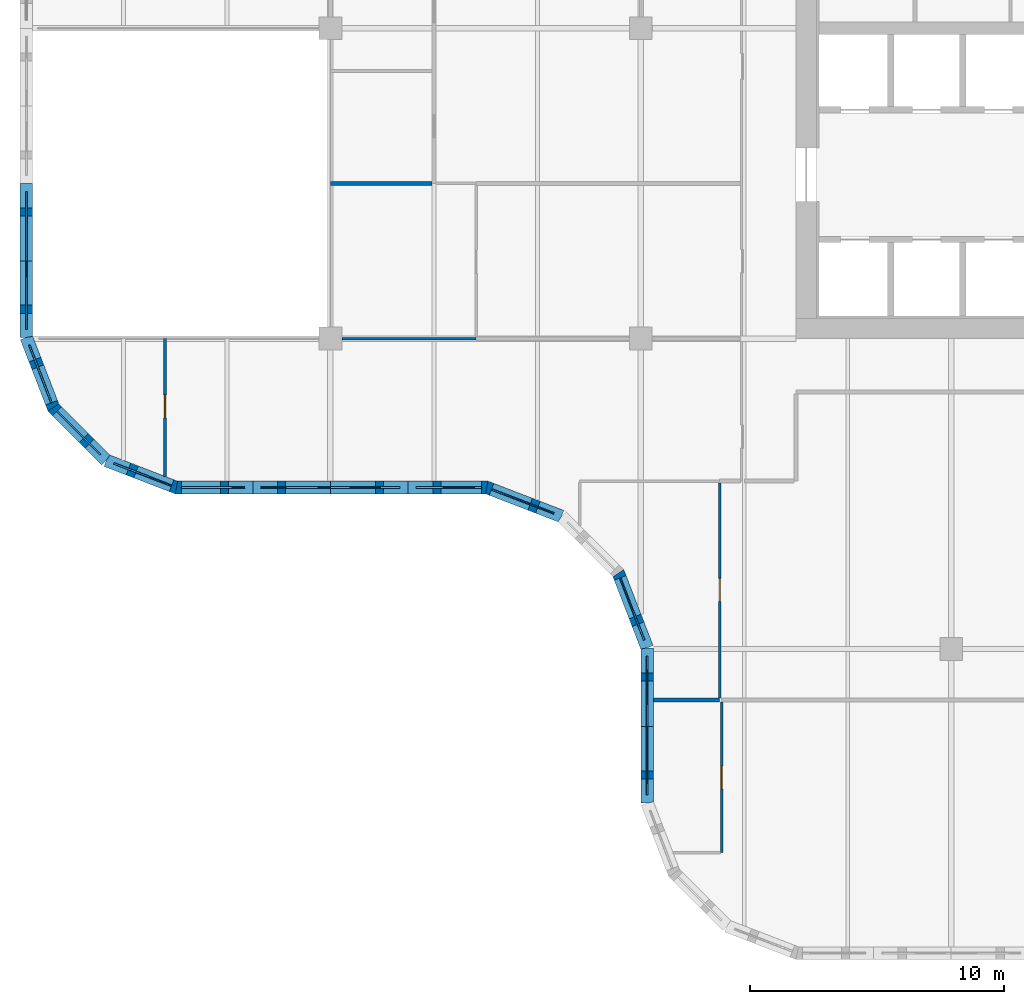
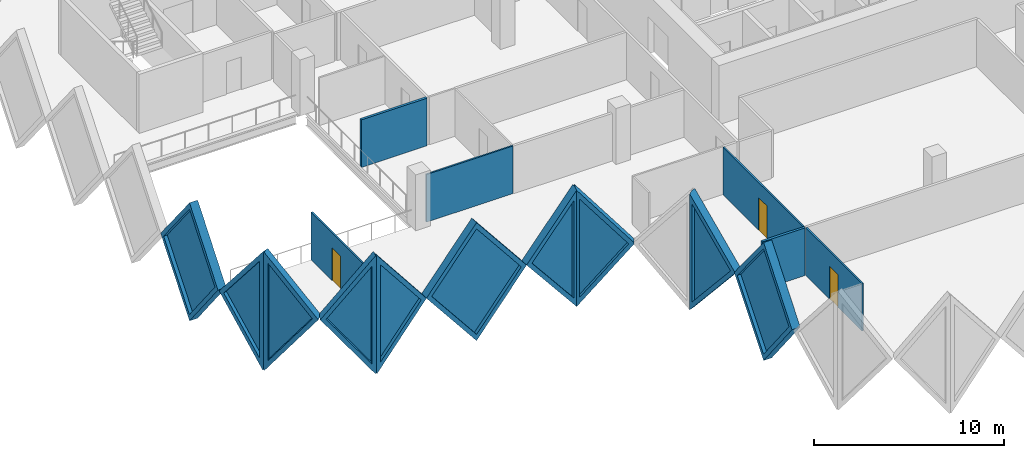
# One storey, part 4 of 18: 16 walls, 10 plates, 3 doors, 13 openings.
"""IFC4 building model written with IfcOpenShell, lengths in metres."""

from ifc_helpers import new_model, si_unit, direction, frame, frame_2d, origin, place, context, subcontext, project, spatial, polyline, rectangle, outline, extrude, faceted_brep, source, transform, mapped, material, layer, layer_set, type_object, element, fill, save


model = new_model("IFC4")

# Units and contexts
model_context = context("Model", 3, precision=1e-05, world=origin(), true_north=direction((0.0, 1.0)))
body_context = subcontext(model_context, "Body", "Model", "MODEL_VIEW")
ifc_project = project(units=[si_unit("LENGTHUNIT", "METRE"), si_unit("AREAUNIT", "SQUARE_METRE"), si_unit("VOLUMEUNIT", "CUBIC_METRE"), si_unit("PLANEANGLEUNIT", "RADIAN"), si_unit("MASSUNIT", "GRAM", prefix="KILO")], contexts=[model_context])

# Site, building, storey
site_placement = place(None, origin())
site = spatial("IfcSite", under=ifc_project, at=site_placement, CompositionType="ELEMENT")
building_placement = place(site_placement, origin())
building = spatial("IfcBuilding", under=site, at=building_placement, Name="Tessera Gate Towers", CompositionType="ELEMENT")
storey_placement = place(building_placement, frame((0.0, 0.0, 99.0)))
storey = spatial("IfcBuildingStorey", under=building, at=storey_placement, Name="L24", CompositionType="ELEMENT", Elevation=99.0)

# Wall, opening, door
ifc_material_1 = material(Name="Glass", Category="glass")
ifc_layer_1 = layer(ifc_material_1, 0.10009765625)
ifc_layer_set_1 = layer_set([ifc_layer_1], Name="GLAZED PARTITION 100")
wall_type_1 = type_object("IfcWallType", Name="GLAZED PARTITION 100", PredefinedType="PARTITIONING", material=ifc_layer_set_1)
wall_1_placement = place(storey_placement, frame((27.574951171875, 4.199951171875, 0.0), z_axis=(0.0, 0.0, 1.0), x_axis=(0.0, 1.0, 0.0)))
wall_1 = element("IfcWall", 1, at=wall_1_placement, inside=storey, type_object=wall_type_1, Name="T1-L24-PW-004", PredefinedType="PARTITIONING", context=body_context, shape_type="SweptSolid", body=[
    extrude(rectangle(XDim=5.924072265625, YDim=0.10009765625, at=frame_2d((2.9619140625, 0.0))), origin(), (0.0, 0.0, 1.0), 3.06689453125),
])
shared_shape_1 = source(origin(), body_context, "Body", "SweptSolid", [
    extrude(rectangle(XDim=0.89990234375, YDim=2.10009765625, at=frame_2d((0.449951171875, 1.050048828125))), frame((0.0, 0.06005859375, 0.0), z_axis=(0.0, -1.0, 0.0), x_axis=(1.0, 0.0, 0.0)), (0.0, 0.0, 1.0), 0.1201171875),
])
opening_1_placement = place(wall_1_placement, frame((2.5, 0.0, 0.0)))
opening_1 = element("IfcOpeningElement", 2, at=opening_1_placement, cuts=wall_1, Name="Opening D690-A09-03", PredefinedType="OPENING", context=body_context, shape_type="MappedRepresentation", body=[
    mapped(shared_shape_1, transform((0.0, 0.0, 0.0), scale=1.0)),
])
ifc_material_2 = material(Name="Glass in aluminium frame", Category="aluminium")
door_type = type_object("IfcDoorType", Name="GLAZED DOOR 900 NOT RATED", OperationType="NOTDEFINED", PredefinedType="DOOR", material=ifc_material_2)
shared_shape_2 = source(origin(), body_context, "Body", "SweptSolid", [
    extrude(rectangle(XDim=0.89990234375, YDim=2.10009765625, at=frame_2d((0.449951171875, 1.050048828125))), frame((0.0, 0.02490234375, 0.0), z_axis=(0.0, -1.0, 0.0), x_axis=(1.0, 0.0, 0.0)), (0.0, 0.0, 1.0), 0.050048828125),
])
door_1_placement = place(opening_1_placement, origin())
door_1 = element("IfcDoor", 3, at=door_1_placement, inside=storey, type_object=door_type, Name="T1-L24-PD-019", OperationType="SINGLE_SWING_LEFT", OverallHeight=2.10009765625, OverallWidth=0.89990234375, PredefinedType="DOOR", context=body_context, shape_type="MappedRepresentation", body=[
    mapped(shared_shape_2, transform((0.0, 0.0, 0.0), scale=1.0)),
])
fill(opening_1, door_1)

wall_2_placement = place(storey_placement, frame((27.5, 10.27587890625, 0.0), z_axis=(0.0, 0.0, 1.0), x_axis=(0.0, 1.0, 0.0)))
wall_2 = element("IfcWall", 4, at=wall_2_placement, inside=storey, type_object=wall_type_1, Name="T1-L24-PW-010", PredefinedType="PARTITIONING", context=body_context, shape_type="SweptSolid", body=[
    extrude(rectangle(XDim=8.4482421875, YDim=0.10009765625, at=frame_2d((4.22412109375, 0.0))), origin(), (0.0, 0.0, 1.0), 3.06689453125),
])
opening_2_placement = place(wall_2_placement, frame((3.800048828125, 0.0, 0.0)))
opening_2 = element("IfcOpeningElement", 5, at=opening_2_placement, cuts=wall_2, Name="Opening D690-A09-04", PredefinedType="OPENING", context=body_context, shape_type="MappedRepresentation", body=[
    mapped(shared_shape_1, transform((0.0, 0.0, 0.0), scale=1.0)),
])
door_2_placement = place(opening_2_placement, origin())
door_2 = element("IfcDoor", 6, at=door_2_placement, inside=storey, type_object=door_type, Name="T1-L24-PD-024", OperationType="SINGLE_SWING_LEFT", OverallHeight=2.10009765625, OverallWidth=0.89990234375, PredefinedType="DOOR", context=body_context, shape_type="MappedRepresentation", body=[
    mapped(shared_shape_2, transform((0.0, 0.0, 0.0), scale=1.0)),
])
fill(opening_2, door_2)

wall_3_placement = place(storey_placement, frame((5.699951171875, 18.990234375, 0.0), z_axis=(0.0, 0.0, 1.0), x_axis=(0.0, 1.0, 0.0)))
wall_3 = element("IfcWall", 7, at=wall_3_placement, inside=storey, type_object=wall_type_1, Name="T1-L24-PW-022", PredefinedType="PARTITIONING", context=body_context, shape_type="SweptSolid", body=[
    extrude(rectangle(XDim=5.40966796875, YDim=0.10009765625, at=frame_2d((2.704833984375, 0.0))), origin(), (0.0, 0.0, 1.0), 3.06689453125),
])
opening_3_placement = place(wall_3_placement, frame((2.300048828125, 0.0, 0.0)))
opening_3 = element("IfcOpeningElement", 8, at=opening_3_placement, cuts=wall_3, Name="Opening D690-A09-01", PredefinedType="OPENING", context=body_context, shape_type="MappedRepresentation", body=[
    mapped(shared_shape_1, transform((0.0, 0.0, 0.0), scale=1.0)),
])
door_3_placement = place(opening_3_placement, origin())
door_3 = element("IfcDoor", 9, at=door_3_placement, inside=storey, type_object=door_type, Name="T1-L24-PD-008", OperationType="SINGLE_SWING_LEFT", OverallHeight=2.10009765625, OverallWidth=0.89990234375, PredefinedType="DOOR", context=body_context, shape_type="MappedRepresentation", body=[
    mapped(shared_shape_2, transform((0.0, 0.0, 0.0), scale=1.0)),
])
fill(opening_3, door_3)

# Walls
wall_4_placement = place(storey_placement, frame((12.65087890625, 24.39990234375, 0.0), z_axis=(0.0, 0.0, 1.0), x_axis=(1.0, 0.0, 0.0)))
element("IfcWall", 10, at=wall_4_placement, inside=storey, type_object=wall_type_1, Name="T1-L24-PW-027", PredefinedType="PARTITIONING", context=body_context, shape_type="SweptSolid", body=[
    extrude(rectangle(XDim=5.273193359375, YDim=0.10009765625, at=frame_2d((2.63671875, 0.0))), origin(), (0.0, 0.0, 1.0), 3.06689453125),
])
ifc_material_3 = material(Name="Gypsum board on steel studs, mineral wool", Category="steel")
ifc_layer_2 = layer(ifc_material_3, 0.14990234375)
ifc_layer_set_2 = layer_set([ifc_layer_2], Name="TENANCY WALL 150")
wall_type_2 = type_object("IfcWallType", Name="TENANCY WALL 150", PredefinedType="PARTITIONING", material=ifc_layer_set_2)
wall_5_placement = place(storey_placement, frame((24.89990234375, 10.199951171875, 0.0), z_axis=(0.0, 0.0, 1.0), x_axis=(1.0, 0.0, 0.0)))
element("IfcWall", 11, at=wall_5_placement, inside=storey, type_object=wall_type_2, Name="T1-L24-PW-008", PredefinedType="PARTITIONING", context=body_context, shape_type="SweptSolid", body=[
    extrude(rectangle(XDim=2.60009765625, YDim=0.14990234375, at=frame_2d((1.300048828125, 0.0))), origin(), (0.0, 0.0, 1.0), 3.06689453125),
])
wall_6_placement = place(storey_placement, frame((12.199951171875, 30.5, 0.0), z_axis=(0.0, 0.0, 1.0), x_axis=(1.0, 0.0, 0.0)))
element("IfcWall", 12, at=wall_6_placement, inside=storey, type_object=wall_type_2, Name="T1-L24-PW-031", PredefinedType="PARTITIONING", context=body_context, shape_type="SweptSolid", body=[
    extrude(rectangle(XDim=3.9990234375, YDim=0.14990234375, at=frame_2d((1.99951171875, 0.0))), origin(), (0.0, 0.0, 1.0), 3.06689453125),
])

# Wall, opening, plate
ifc_material_4 = material(Name="Precast concrete C60/75 white", Category="concrete")
ifc_layer_3 = layer(ifc_material_4, 0.5)
ifc_layer_set_3 = layer_set([ifc_layer_3], Name="TS1 tessera")
wall_type_3 = type_object("IfcWallType", Name="TS1 tessera", PredefinedType="SOLIDWALL", material=ifc_layer_set_3)
shared_shape_3 = source(origin(), body_context, "Body", "SweptSolid", [
    extrude(outline(polyline([(3.050048828125, 0.0), (6.10009765625, 3.800048828125), (3.050048828125, 7.60009765625), (0.0, 3.800048828125), (3.050048828125, 0.0)])), frame((0.0, 0.25, 0.0), z_axis=(0.0, -1.0, 0.0), x_axis=(1.0, 0.0, 0.0)), (0.0, 0.0, 1.0), 0.5),
])
wall_7_placement = place(storey_placement, frame((9.14990234375, 18.550048828125, -3.800048828125), z_axis=(0.0, 0.0, 1.0), x_axis=(1.0, 0.0, 0.0)))
wall_7 = element("IfcWall", 13, at=wall_7_placement, inside=storey, type_object=wall_type_3, Name="Precast tessera T1 TS1-0412", PredefinedType="SOLIDWALL", context=body_context, shape_type="MappedRepresentation", body=[
    mapped(shared_shape_3, transform((0.0, 0.0, 0.0), scale=1.0)),
])
shared_shape_4 = source(origin(), body_context, "Body", "SweptSolid", [
    extrude(outline(polyline([(3.050048828125, 0.3994140625), (5.779541015625, 3.800048828125), (3.050048828125, 7.20068359375), (0.320556640625, 3.800048828125), (3.050048828125, 0.3994140625)])), frame((0.0, 0.260009765625, 0.0), z_axis=(0.0, -1.0, 0.0), x_axis=(1.0, 0.0, 0.0)), (0.0, 0.0, 1.0), 0.52001953125),
])
opening_4_placement = place(wall_7_placement, origin())
opening_4 = element("IfcOpeningElement", 14, at=opening_4_placement, cuts=wall_7, Name="Opening T1-PL2-0838", PredefinedType="OPENING", context=body_context, shape_type="MappedRepresentation", body=[
    mapped(shared_shape_4, transform((0.0, 0.0, 0.0), scale=1.0)),
])
ifc_material_5 = material(Name="Low-e laminated glass", Category="glass")
ifc_layer_4 = layer(ifc_material_5, 0.06005859375)
ifc_layer_set_4 = layer_set([ifc_layer_4], Name="PL2 rhombic pane")
plate_type = type_object("IfcPlateType", Name="PL2 rhombic pane", PredefinedType="SHEET", material=ifc_layer_set_4)
shared_shape_5 = source(origin(), body_context, "Body", "SweptSolid", [
    extrude(outline(polyline([(3.050048828125, 0.3994140625), (5.779541015625, 3.800048828125), (3.050048828125, 7.20068359375), (0.320556640625, 3.800048828125), (3.050048828125, 0.3994140625)])), frame((0.0, 0.030029296875, 0.0), z_axis=(0.0, -1.0, 0.0), x_axis=(1.0, 0.0, 0.0)), (0.0, 0.0, 1.0), 0.06005859375),
])
plate_1_placement = place(opening_4_placement, origin())
plate_1 = element("IfcPlate", 15, at=plate_1_placement, inside=storey, type_object=plate_type, Name="Glass pane T1 PL2-0838", PredefinedType="SHEET", context=body_context, shape_type="MappedRepresentation", body=[
    mapped(shared_shape_5, transform((0.0, 0.0, 0.0), scale=1.0)),
])
fill(opening_4, plate_1)

shared_shape_6 = source(origin(), body_context, "Body", "Brep", [
    faceted_brep([(3.050048828125, -0.25, 0.0), (6.053466796875, -0.25, 3.800048828125), (3.050048828125, -0.25, 7.60009765625), (0.0, -0.25, 3.800048828125), (0.0, 0.25, 3.800048828125), (3.050048828125, 0.25, 7.60009765625), (6.0068359375, 0.25, 3.85888671875), (6.0068359375, 0.25, 3.7412109375), (3.050048828125, 0.25, 0.0), (6.053466796875, 0.0, 3.800048828125)], [[[0, 1, 2, 3]], [[4, 5, 6, 7, 8]], [[8, 7, 9, 1, 0]], [[6, 5, 2, 1, 9]], [[5, 4, 3, 2]], [[4, 8, 0, 3]], [[9, 7, 6]]]),
])
wall_8_placement = place(storey_placement, frame((0.25, 30.5, -3.800048828125), z_axis=(0.0, 0.0, 1.0), x_axis=(0.0, -1.0, 0.0)))
wall_8 = element("IfcWall", 16, at=wall_8_placement, inside=storey, type_object=wall_type_3, Name="Precast tessera T1 TS1-0411", PredefinedType="SOLIDWALL", context=body_context, shape_type="MappedRepresentation", body=[
    mapped(shared_shape_6, transform((0.0, 0.0, 0.0), scale=1.0)),
])
shared_shape_7 = source(origin(), body_context, "Body", "SweptSolid", [
    extrude(outline(polyline([(3.048583984375, 0.4013671875), (5.73486328125, 3.800048828125), (3.048583984375, 7.19873046875), (0.320556640625, 3.800048828125), (3.048583984375, 0.4013671875)])), frame((0.0, 0.260009765625, 0.0), z_axis=(0.0, -1.0, 0.0), x_axis=(1.0, 0.0, 0.0)), (0.0, 0.0, 1.0), 0.52001953125),
])
opening_5_placement = place(wall_8_placement, origin())
opening_5 = element("IfcOpeningElement", 17, at=opening_5_placement, cuts=wall_8, Name="Opening T1-PL2-0833", PredefinedType="OPENING", context=body_context, shape_type="MappedRepresentation", body=[
    mapped(shared_shape_7, transform((0.0, 0.0, 0.0), scale=1.0)),
])
shared_shape_8 = source(origin(), body_context, "Body", "SweptSolid", [
    extrude(outline(polyline([(3.048583984375, 0.4013671875), (5.73486328125, 3.800048828125), (3.048583984375, 7.19873046875), (0.320556640625, 3.800048828125), (3.048583984375, 0.4013671875)])), frame((0.0, 0.030029296875, 0.0), z_axis=(0.0, -1.0, 0.0), x_axis=(1.0, 0.0, 0.0)), (0.0, 0.0, 1.0), 0.06005859375),
])
plate_2_placement = place(opening_5_placement, origin())
plate_2 = element("IfcPlate", 18, at=plate_2_placement, inside=storey, type_object=plate_type, Name="Glass pane T1 PL2-0833", PredefinedType="SHEET", context=body_context, shape_type="MappedRepresentation", body=[
    mapped(shared_shape_8, transform((0.0, 0.0, 0.0), scale=1.0)),
])
fill(opening_5, plate_2)

ifc_material_6 = material(Name="Precast concrete C60/75 white", Category="concrete")
ifc_layer_5 = layer(ifc_material_6, 0.5)
ifc_layer_set_5 = layer_set([ifc_layer_5], Name="TS3 corner tessera")
wall_type_4 = type_object("IfcWallType", Name="TS3 corner tessera", PredefinedType="SOLIDWALL", material=ifc_layer_set_5)
shared_shape_9 = source(origin(), body_context, "Body", "Brep", [
    faceted_brep([(0.052978515625, -0.25, 0.0), (2.9970703125, -0.25, 3.800048828125), (0.052978515625, -0.25, 7.60009765625), (0.0, -0.25, 7.531982421875), (0.0, -0.25, 0.068115234375), (0.10595703125, 0.25, 7.53173828125), (2.944091796875, 0.25, 3.8681640625), (2.944091796875, 0.25, 3.73193359375), (0.10595703125, 0.25, 0.068359375), (2.9970703125, 0.000244140625, 3.800048828125), (0.052978515625, 0.0, 0.0), (0.052978515625, 0.0, 7.60009765625)], [[[0, 1, 2, 3, 4]], [[5, 6, 7, 8]], [[8, 7, 9, 1, 0, 10]], [[6, 5, 11, 2, 1, 9]], [[3, 2, 11]], [[10, 0, 4]], [[8, 10, 4, 3, 11, 5]], [[9, 7, 6]]]),
])
wall_9_placement = place(storey_placement, frame((1.2744140625, 21.731201171875, -3.800048828125), z_axis=(0.0, 0.0, 1.0), x_axis=(0.707147509625, -0.707066050402, 0.0)))
wall_9 = element("IfcWall", 19, at=wall_9_placement, inside=storey, type_object=wall_type_4, Name="Precast corner tessera T1 TS3-0544", PredefinedType="SOLIDWALL", context=body_context, shape_type="MappedRepresentation", body=[
    mapped(shared_shape_9, transform((0.0, 0.0, 0.0), scale=1.0)),
])
shared_shape_10 = source(origin(), body_context, "Body", "SweptSolid", [
    extrude(outline(polyline([(0.2529296875, 0.666259765625), (2.680908203125, 3.800048828125), (0.2529296875, 6.933837890625), (0.2529296875, 0.666259765625)])), frame((0.0, 0.260009765625, 0.0), z_axis=(0.0, -1.0, 0.0), x_axis=(1.0, 0.0, 0.0)), (0.0, 0.0, 1.0), 0.52001953125),
])
opening_6_placement = place(wall_9_placement, origin())
opening_6 = element("IfcOpeningElement", 20, at=opening_6_placement, cuts=wall_9, Name="Opening T1-PL2-0835", PredefinedType="OPENING", context=body_context, shape_type="MappedRepresentation", body=[
    mapped(shared_shape_10, transform((0.0, 0.0, 0.0), scale=1.0)),
])
shared_shape_11 = source(origin(), body_context, "Body", "SweptSolid", [
    extrude(outline(polyline([(0.2529296875, 0.666259765625), (2.680908203125, 3.800048828125), (0.2529296875, 6.933837890625), (0.2529296875, 0.666259765625)])), frame((0.0, 0.030029296875, 0.0), z_axis=(0.0, -1.0, 0.0), x_axis=(1.0, 0.0, 0.0)), (0.0, 0.0, 1.0), 0.06005859375),
])
plate_3_placement = place(opening_6_placement, origin())
plate_3 = element("IfcPlate", 21, at=plate_3_placement, inside=storey, type_object=plate_type, Name="Glass pane T1 PL2-0835", PredefinedType="SHEET", context=body_context, shape_type="MappedRepresentation", body=[
    mapped(shared_shape_11, transform((0.0, 0.0, 0.0), scale=1.0)),
])
fill(opening_6, plate_3)

shared_shape_12 = source(origin(), body_context, "Body", "Brep", [
    faceted_brep([(2.950439453125, -0.25, 0.0), (2.9970703125, -0.25, 0.05908203125), (2.9970703125, -0.25, 7.541015625), (2.950439453125, -0.25, 7.60009765625), (0.0, -0.25, 3.800048828125), (0.052978515625, 0.25, 3.8681640625), (2.904052734375, 0.25, 7.540283203125), (2.904052734375, 0.25, 0.059814453125), (0.052978515625, 0.25, 3.73193359375), (2.950439453125, 0.00048828125, 0.0), (2.950439453125, 0.00048828125, 7.60009765625), (0.0, 0.0, 3.800048828125)], [[[0, 1, 2, 3, 4]], [[5, 6, 7, 8]], [[1, 0, 9]], [[10, 3, 2]], [[6, 5, 11, 4, 3, 10]], [[8, 7, 9, 0, 4, 11]], [[8, 11, 5]], [[1, 9, 7, 6, 10, 2]]]),
])
wall_10_placement = place(storey_placement, frame((3.393798828125, 19.61181640625, -3.800048828125), z_axis=(0.0, 0.0, 1.0), x_axis=(0.932990326376, -0.359901446078, 0.0)))
wall_10 = element("IfcWall", 22, at=wall_10_placement, inside=storey, type_object=wall_type_4, Name="Precast corner tessera T1 TS3-0545", PredefinedType="SOLIDWALL", context=body_context, shape_type="MappedRepresentation", body=[
    mapped(shared_shape_12, transform((0.0, 0.0, 0.0), scale=1.0)),
])
shared_shape_13 = source(origin(), body_context, "Body", "SweptSolid", [
    extrude(outline(polyline([(2.75048828125, 6.934814453125), (0.31640625, 3.800048828125), (2.75048828125, 0.665283203125), (2.75048828125, 6.934814453125)])), frame((0.0, 0.260009765625, 0.0), z_axis=(0.0, -1.0, 0.0), x_axis=(1.0, 0.0, 0.0)), (0.0, 0.0, 1.0), 0.52001953125),
])
opening_7_placement = place(wall_10_placement, origin())
opening_7 = element("IfcOpeningElement", 23, at=opening_7_placement, cuts=wall_10, Name="Opening T1-PL2-0836", PredefinedType="OPENING", context=body_context, shape_type="MappedRepresentation", body=[
    mapped(shared_shape_13, transform((0.0, 0.0, 0.0), scale=1.0)),
])
shared_shape_14 = source(origin(), body_context, "Body", "SweptSolid", [
    extrude(outline(polyline([(2.75048828125, 6.934814453125), (0.31640625, 3.800048828125), (2.75048828125, 0.665283203125), (2.75048828125, 6.934814453125)])), frame((0.0, 0.030029296875, 0.0), z_axis=(0.0, -1.0, 0.0), x_axis=(1.0, 0.0, 0.0)), (0.0, 0.0, 1.0), 0.06005859375),
])
plate_4_placement = place(opening_7_placement, origin())
plate_4 = element("IfcPlate", 24, at=plate_4_placement, inside=storey, type_object=plate_type, Name="Glass pane T1 PL2-0836", PredefinedType="SHEET", context=body_context, shape_type="MappedRepresentation", body=[
    mapped(shared_shape_14, transform((0.0, 0.0, 0.0), scale=1.0)),
])
fill(opening_7, plate_4)

shared_shape_15 = source(origin(), body_context, "Body", "Brep", [
    faceted_brep([(0.046630859375, -0.25, 0.0), (3.050048828125, -0.25, 3.800048828125), (0.046630859375, -0.25, 7.60009765625), (0.0, -0.25, 7.5400390625), (0.0, -0.25, 0.06005859375), (0.09326171875, 0.25, 7.541259765625), (3.050048828125, 0.25, 3.800048828125), (0.09326171875, 0.25, 0.058837890625), (0.046630859375, 0.0, 0.0), (0.046630859375, 0.0, 7.60009765625)], [[[0, 1, 2, 3, 4]], [[5, 6, 7]], [[7, 6, 1, 0, 8]], [[6, 5, 9, 2, 1]], [[3, 2, 9]], [[8, 0, 4]], [[7, 8, 4, 3, 9, 5]]]),
])
wall_11_placement = place(storey_placement, frame((6.099853515625, 18.550048828125, -3.800048828125), z_axis=(0.0, 0.0, 1.0), x_axis=(1.0, 0.0, 0.0)))
wall_11 = element("IfcWall", 25, at=wall_11_placement, inside=storey, type_object=wall_type_4, Name="Precast corner tessera T1 TS3-0546", PredefinedType="SOLIDWALL", context=body_context, shape_type="MappedRepresentation", body=[
    mapped(shared_shape_15, transform((0.0, 0.0, 0.0), scale=1.0)),
])
shared_shape_16 = source(origin(), body_context, "Body", "SweptSolid", [
    extrude(outline(polyline([(0.24658203125, 0.65625), (2.7314453125, 3.800048828125), (0.24658203125, 6.94384765625), (0.24658203125, 0.65625)])), frame((0.0, 0.260009765625, 0.0), z_axis=(0.0, -1.0, 0.0), x_axis=(1.0, 0.0, 0.0)), (0.0, 0.0, 1.0), 0.52001953125),
])
opening_8_placement = place(wall_11_placement, origin())
opening_8 = element("IfcOpeningElement", 26, at=opening_8_placement, cuts=wall_11, Name="Opening T1-PL2-0837", PredefinedType="OPENING", context=body_context, shape_type="MappedRepresentation", body=[
    mapped(shared_shape_16, transform((0.0, 0.0, 0.0), scale=1.0)),
])
shared_shape_17 = source(origin(), body_context, "Body", "SweptSolid", [
    extrude(outline(polyline([(0.24658203125, 0.65625), (2.7314453125, 3.800048828125), (0.24658203125, 6.94384765625), (0.24658203125, 0.65625)])), frame((0.0, 0.030029296875, 0.0), z_axis=(0.0, -1.0, 0.0), x_axis=(1.0, 0.0, 0.0)), (0.0, 0.0, 1.0), 0.06005859375),
])
plate_5_placement = place(opening_8_placement, origin())
plate_5 = element("IfcPlate", 27, at=plate_5_placement, inside=storey, type_object=plate_type, Name="Glass pane T1 PL2-0837", PredefinedType="SHEET", context=body_context, shape_type="MappedRepresentation", body=[
    mapped(shared_shape_17, transform((0.0, 0.0, 0.0), scale=1.0)),
])
fill(opening_8, plate_5)

shared_shape_18 = source(origin(), body_context, "Body", "Brep", [
    faceted_brep([(2.950439453125, -0.25, 0.0), (3.00341796875, -0.25, 0.068359375), (3.00341796875, -0.25, 7.53173828125), (2.950439453125, -0.25, 7.60009765625), (0.0, -0.25, 3.800048828125), (0.046630859375, 0.25, 3.860107421875), (2.897705078125, 0.25, 7.531982421875), (2.897705078125, 0.25, 0.068115234375), (0.046630859375, 0.25, 3.739990234375), (2.950439453125, 0.00048828125, 0.0), (2.950439453125, 0.00048828125, 7.60009765625), (0.0, 0.0, 3.800048828125)], [[[0, 1, 2, 3, 4]], [[5, 6, 7, 8]], [[1, 0, 9]], [[10, 3, 2]], [[6, 5, 11, 4, 3, 10]], [[8, 7, 9, 0, 4, 11]], [[8, 11, 5]], [[1, 9, 7, 6, 10, 2]]]),
])
wall_12_placement = place(storey_placement, frame((0.25, 24.446533203125, -3.800048828125), z_axis=(0.0, 0.0, 1.0), x_axis=(0.35992665181, -0.932980602862, 0.0)))
wall_12 = element("IfcWall", 28, at=wall_12_placement, inside=storey, type_object=wall_type_4, Name="Precast corner tessera T1 TS3-0543", PredefinedType="SOLIDWALL", context=body_context, shape_type="MappedRepresentation", body=[
    mapped(shared_shape_18, transform((0.0, 0.0, 0.0), scale=1.0)),
])
opening_9_placement = place(wall_12_placement, origin())
opening_9 = element("IfcOpeningElement", 29, at=opening_9_placement, cuts=wall_12, Name="Opening T1-PL2-0834", PredefinedType="OPENING", context=body_context, shape_type="MappedRepresentation", body=[
    mapped(shared_shape_13, transform((0.0, 0.0, 0.0), scale=1.0)),
])
plate_6_placement = place(opening_9_placement, origin())
plate_6 = element("IfcPlate", 30, at=plate_6_placement, inside=storey, type_object=plate_type, Name="Glass pane T1 PL2-0834", PredefinedType="SHEET", context=body_context, shape_type="MappedRepresentation", body=[
    mapped(shared_shape_14, transform((0.0, 0.0, 0.0), scale=1.0)),
])
fill(opening_9, plate_6)

shared_shape_19 = source(origin(), body_context, "Body", "Brep", [
    faceted_brep([(3.050048828125, -0.25, 7.543212890625), (0.0, -0.25, 3.800048828125), (3.050048828125, -0.25, 0.056884765625), (0.0, 0.25, 3.800048828125), (3.096435546875, 0.25, 7.60009765625), (3.14306640625, 0.25, 7.543701171875), (3.14306640625, 0.25, 0.056396484375), (3.096435546875, 0.25, 0.0), (3.096435546875, -0.00048828125, 0.0), (3.096435546875, -0.00048828125, 7.60009765625)], [[[0, 1, 2]], [[3, 4, 5, 6, 7]], [[7, 6, 8]], [[5, 4, 9]], [[4, 3, 1, 0, 9]], [[3, 7, 8, 2, 1]], [[2, 8, 6, 5, 9, 0]]]),
])
wall_13_placement = place(storey_placement, frame((15.25, 18.550048828125, -3.800048828125), z_axis=(0.0, 0.0, 1.0), x_axis=(1.0, 0.0, 0.0)))
wall_13 = element("IfcWall", 31, at=wall_13_placement, inside=storey, type_object=wall_type_4, Name="Precast corner tessera T1 TS3-0547", PredefinedType="SOLIDWALL", context=body_context, shape_type="MappedRepresentation", body=[
    mapped(shared_shape_19, transform((0.0, 0.0, 0.0), scale=1.0)),
])
shared_shape_20 = source(origin(), body_context, "Body", "SweptSolid", [
    extrude(outline(polyline([(2.896484375, 6.958740234375), (0.322509765625, 3.800048828125), (2.896484375, 0.641357421875), (2.896484375, 6.958740234375)])), frame((0.0, 0.260009765625, 0.0), z_axis=(0.0, -1.0, 0.0), x_axis=(1.0, 0.0, 0.0)), (0.0, 0.0, 1.0), 0.52001953125),
])
opening_10_placement = place(wall_13_placement, origin())
opening_10 = element("IfcOpeningElement", 32, at=opening_10_placement, cuts=wall_13, Name="Opening T1-PL2-0839", PredefinedType="OPENING", context=body_context, shape_type="MappedRepresentation", body=[
    mapped(shared_shape_20, transform((0.0, 0.0, 0.0), scale=1.0)),
])
shared_shape_21 = source(origin(), body_context, "Body", "SweptSolid", [
    extrude(outline(polyline([(2.896484375, 6.958740234375), (0.322509765625, 3.800048828125), (2.896484375, 0.641357421875), (2.896484375, 6.958740234375)])), frame((0.0, 0.030029296875, 0.0), z_axis=(0.0, -1.0, 0.0), x_axis=(1.0, 0.0, 0.0)), (0.0, 0.0, 1.0), 0.06005859375),
])
plate_7_placement = place(opening_10_placement, origin())
plate_7 = element("IfcPlate", 33, at=plate_7_placement, inside=storey, type_object=plate_type, Name="Glass pane T1 PL2-0839", PredefinedType="SHEET", context=body_context, shape_type="MappedRepresentation", body=[
    mapped(shared_shape_21, transform((0.0, 0.0, 0.0), scale=1.0)),
])
fill(opening_10, plate_7)

shared_shape_22 = source(origin(), body_context, "Body", "Brep", [
    faceted_brep([(0.09326171875, -0.25, 0.05615234375), (3.14306640625, -0.25, 3.736328125), (3.14306640625, -0.25, 3.86376953125), (0.09326171875, -0.25, 7.5439453125), (0.0, 0.25, 7.54296875), (0.046630859375, 0.25, 7.60009765625), (3.196044921875, 0.25, 3.800048828125), (0.046630859375, 0.25, 0.0), (0.0, 0.25, 0.05712890625), (3.196044921875, -0.000244140625, 3.800048828125), (0.046630859375, 0.0, 0.0), (0.046630859375, 0.0, 7.60009765625)], [[[0, 1, 2, 3]], [[4, 5, 6, 7, 8]], [[7, 6, 9, 1, 0, 10]], [[6, 5, 11, 3, 2, 9]], [[5, 4, 11]], [[8, 7, 10]], [[8, 10, 0, 3, 11, 4]], [[1, 9, 2]]]),
])
wall_14_placement = place(storey_placement, frame((18.302978515625, 18.56689453125, -3.800048828125), z_axis=(0.0, 0.0, 1.0), x_axis=(0.932978940178, -0.359930961693, 0.0)))
wall_14 = element("IfcWall", 34, at=wall_14_placement, inside=storey, type_object=wall_type_4, Name="Precast corner tessera T1 TS3-0548", PredefinedType="SOLIDWALL", context=body_context, shape_type="MappedRepresentation", body=[
    mapped(shared_shape_22, transform((0.0, 0.0, 0.0), scale=1.0)),
])
shared_shape_23 = source(origin(), body_context, "Body", "SweptSolid", [
    extrude(outline(polyline([(0.24658203125, 0.633056640625), (2.871337890625, 3.800048828125), (0.24658203125, 6.967041015625), (0.24658203125, 0.633056640625)])), frame((0.0, 0.260009765625, 0.0), z_axis=(0.0, -1.0, 0.0), x_axis=(1.0, 0.0, 0.0)), (0.0, 0.0, 1.0), 0.52001953125),
])
opening_11_placement = place(wall_14_placement, origin())
opening_11 = element("IfcOpeningElement", 35, at=opening_11_placement, cuts=wall_14, Name="Opening T1-PL2-0840", PredefinedType="OPENING", context=body_context, shape_type="MappedRepresentation", body=[
    mapped(shared_shape_23, transform((0.0, 0.0, 0.0), scale=1.0)),
])
shared_shape_24 = source(origin(), body_context, "Body", "SweptSolid", [
    extrude(outline(polyline([(0.24658203125, 0.633056640625), (2.871337890625, 3.800048828125), (0.24658203125, 6.967041015625), (0.24658203125, 0.633056640625)])), frame((0.0, 0.030029296875, 0.0), z_axis=(0.0, -1.0, 0.0), x_axis=(1.0, 0.0, 0.0)), (0.0, 0.0, 1.0), 0.06005859375),
])
plate_8_placement = place(opening_11_placement, origin())
plate_8 = element("IfcPlate", 36, at=plate_8_placement, inside=storey, type_object=plate_type, Name="Glass pane T1 PL2-0840", PredefinedType="SHEET", context=body_context, shape_type="MappedRepresentation", body=[
    mapped(shared_shape_24, transform((0.0, 0.0, 0.0), scale=1.0)),
])
fill(opening_11, plate_8)

shared_shape_25 = source(origin(), body_context, "Body", "Brep", [
    faceted_brep([(0.10595703125, -0.25, 0.06396484375), (3.156005859375, -0.25, 3.743896484375), (3.156005859375, -0.25, 3.856201171875), (0.10595703125, -0.25, 7.5361328125), (0.0, 0.25, 7.536376953125), (0.052978515625, 0.25, 7.60009765625), (3.202392578125, 0.25, 3.800048828125), (0.052978515625, 0.25, 0.0), (0.0, 0.25, 0.063720703125), (3.202392578125, -0.000244140625, 3.800048828125), (0.052978515625, 0.0, 0.0), (0.052978515625, 0.0, 7.60009765625)], [[[0, 1, 2, 3]], [[4, 5, 6, 7, 8]], [[7, 6, 9, 1, 0, 10]], [[6, 5, 11, 3, 2, 9]], [[5, 4, 11]], [[8, 7, 10]], [[8, 10, 0, 3, 11, 4]], [[1, 9, 2]]]),
])
wall_15_placement = place(storey_placement, frame((23.497314453125, 15.234375, -3.800048828125), z_axis=(0.0, 0.0, 1.0), x_axis=(0.359913782069, -0.932985567668, 0.0)))
wall_15 = element("IfcWall", 37, at=wall_15_placement, inside=storey, type_object=wall_type_4, Name="Precast corner tessera T1 TS3-0550", PredefinedType="SOLIDWALL", context=body_context, shape_type="MappedRepresentation", body=[
    mapped(shared_shape_25, transform((0.0, 0.0, 0.0), scale=1.0)),
])
shared_shape_26 = source(origin(), body_context, "Body", "SweptSolid", [
    extrude(outline(polyline([(0.2529296875, 0.633056640625), (2.877685546875, 3.800048828125), (0.2529296875, 6.967041015625), (0.2529296875, 0.633056640625)])), frame((0.0, 0.260009765625, 0.0), z_axis=(0.0, -1.0, 0.0), x_axis=(1.0, 0.0, 0.0)), (0.0, 0.0, 1.0), 0.52001953125),
])
opening_12_placement = place(wall_15_placement, origin())
opening_12 = element("IfcOpeningElement", 38, at=opening_12_placement, cuts=wall_15, Name="Opening T1-PL2-0842", PredefinedType="OPENING", context=body_context, shape_type="MappedRepresentation", body=[
    mapped(shared_shape_26, transform((0.0, 0.0, 0.0), scale=1.0)),
])
shared_shape_27 = source(origin(), body_context, "Body", "SweptSolid", [
    extrude(outline(polyline([(0.2529296875, 0.633056640625), (2.877685546875, 3.800048828125), (0.2529296875, 6.967041015625), (0.2529296875, 0.633056640625)])), frame((0.0, 0.030029296875, 0.0), z_axis=(0.0, -1.0, 0.0), x_axis=(1.0, 0.0, 0.0)), (0.0, 0.0, 1.0), 0.06005859375),
])
plate_9_placement = place(opening_12_placement, origin())
plate_9 = element("IfcPlate", 39, at=plate_9_placement, inside=storey, type_object=plate_type, Name="Glass pane T1 PL2-0842", PredefinedType="SHEET", context=body_context, shape_type="MappedRepresentation", body=[
    mapped(shared_shape_27, transform((0.0, 0.0, 0.0), scale=1.0)),
])
fill(opening_12, plate_9)

shared_shape_28 = source(origin(), body_context, "Body", "Brep", [
    faceted_brep([(3.096435546875, -0.25, 0.0), (6.10009765625, -0.25, 3.800048828125), (3.096435546875, -0.25, 7.60009765625), (0.046630859375, -0.25, 3.857177734375), (0.046630859375, -0.25, 3.742919921875), (0.0, 0.25, 3.800048828125), (3.096435546875, 0.25, 7.60009765625), (6.053466796875, 0.25, 3.859130859375), (6.053466796875, 0.25, 3.740966796875), (3.096435546875, 0.25, 0.0), (6.10009765625, -0.00048828125, 3.800048828125), (0.0, 0.0, 3.800048828125)], [[[0, 1, 2, 3, 4]], [[5, 6, 7, 8, 9]], [[9, 8, 10, 1, 0]], [[7, 6, 2, 1, 10]], [[6, 5, 11, 3, 2]], [[5, 9, 0, 4, 11]], [[11, 4, 3]], [[10, 8, 7]]]),
])
wall_16_placement = place(storey_placement, frame((24.64990234375, 12.24658203125, -3.800048828125), z_axis=(0.0, 0.0, 1.0), x_axis=(0.0, -1.0, 0.0)))
wall_16 = element("IfcWall", 40, at=wall_16_placement, inside=storey, type_object=wall_type_3, Name="Precast tessera T1 TS1-0413", PredefinedType="SOLIDWALL", context=body_context, shape_type="MappedRepresentation", body=[
    mapped(shared_shape_28, transform((0.0, 0.0, 0.0), scale=1.0)),
])
shared_shape_29 = source(origin(), body_context, "Body", "SweptSolid", [
    extrude(outline(polyline([(3.093505859375, 0.3994140625), (5.78125, 3.800048828125), (3.093505859375, 7.20068359375), (0.322509765625, 3.800048828125), (3.093505859375, 0.3994140625)])), frame((0.0, 0.260009765625, 0.0), z_axis=(0.0, -1.0, 0.0), x_axis=(1.0, 0.0, 0.0)), (0.0, 0.0, 1.0), 0.52001953125),
])
opening_13_placement = place(wall_16_placement, origin())
opening_13 = element("IfcOpeningElement", 41, at=opening_13_placement, cuts=wall_16, Name="Opening T1-PL2-0843", PredefinedType="OPENING", context=body_context, shape_type="MappedRepresentation", body=[
    mapped(shared_shape_29, transform((0.0, 0.0, 0.0), scale=1.0)),
])
shared_shape_30 = source(origin(), body_context, "Body", "SweptSolid", [
    extrude(outline(polyline([(3.093505859375, 0.3994140625), (5.78125, 3.800048828125), (3.093505859375, 7.20068359375), (0.322509765625, 3.800048828125), (3.093505859375, 0.3994140625)])), frame((0.0, 0.030029296875, 0.0), z_axis=(0.0, -1.0, 0.0), x_axis=(1.0, 0.0, 0.0)), (0.0, 0.0, 1.0), 0.06005859375),
])
plate_10_placement = place(opening_13_placement, origin())
plate_10 = element("IfcPlate", 42, at=plate_10_placement, inside=storey, type_object=plate_type, Name="Glass pane T1 PL2-0843", PredefinedType="SHEET", context=body_context, shape_type="MappedRepresentation", body=[
    mapped(shared_shape_30, transform((0.0, 0.0, 0.0), scale=1.0)),
])
fill(opening_13, plate_10)

save(model, "model.ifc")
